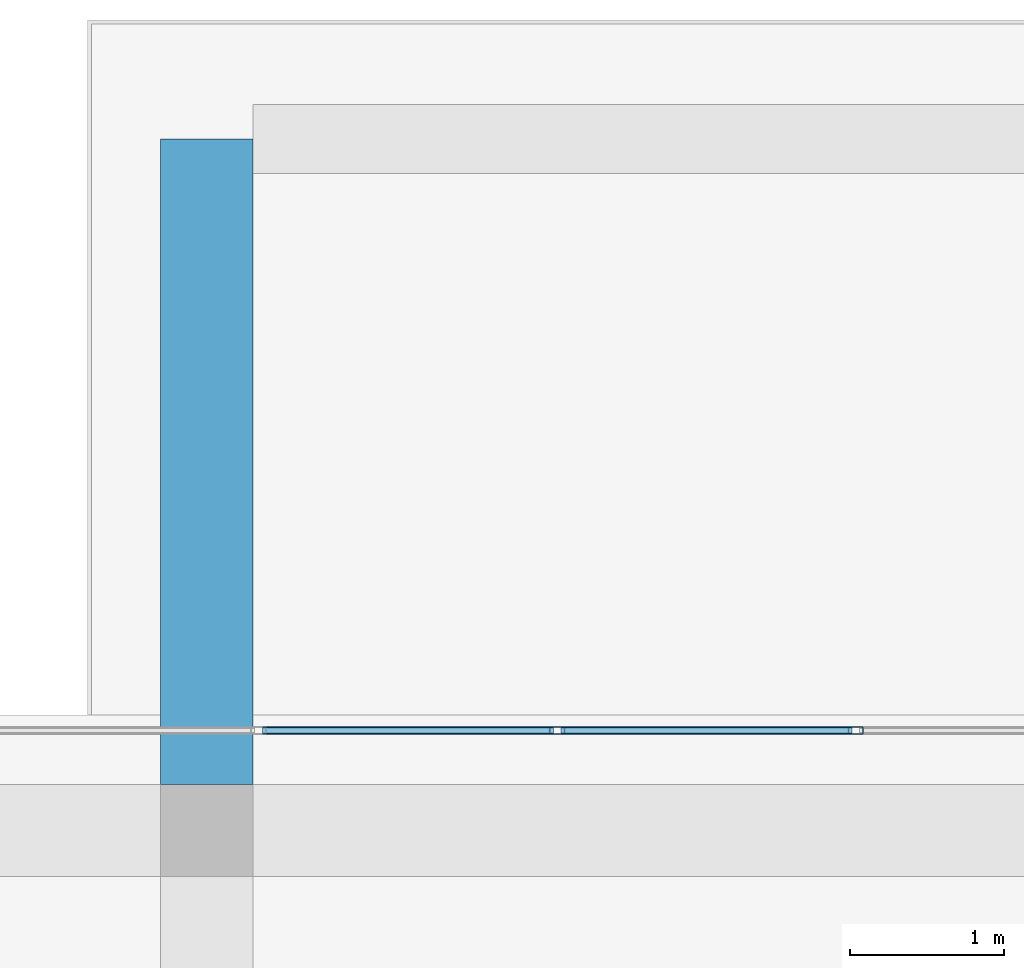
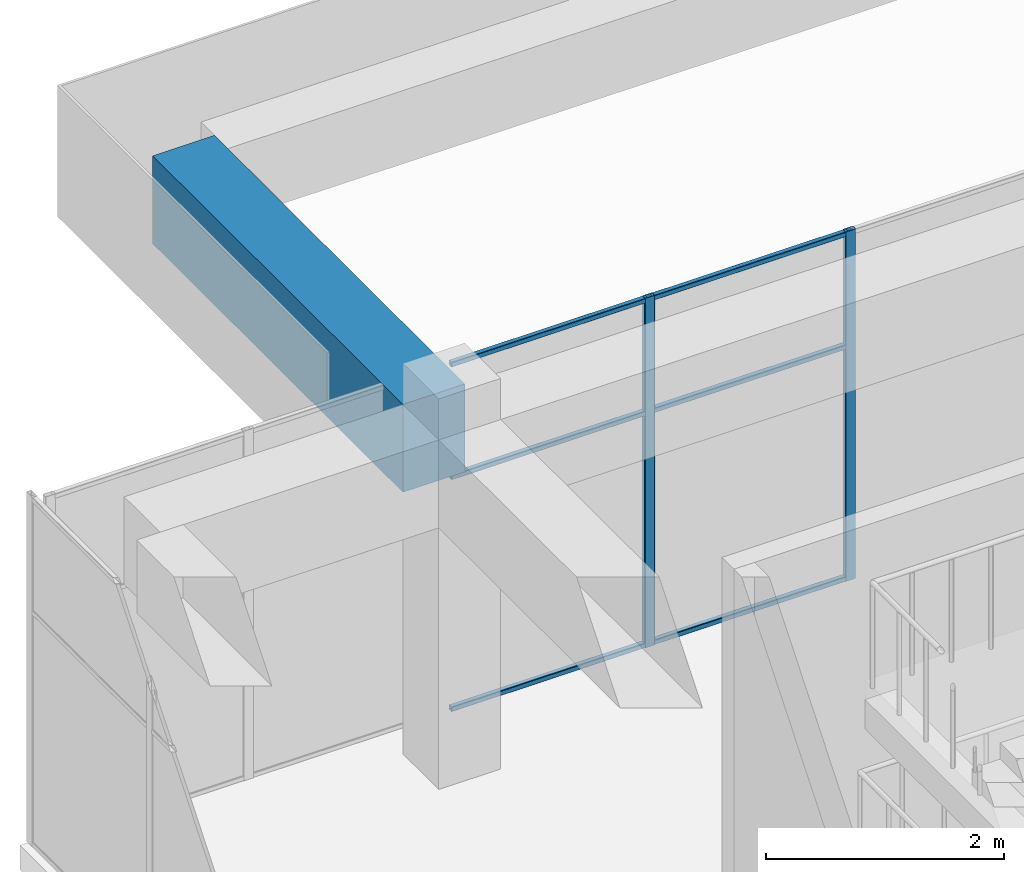
# One storey, part 22 of 35: 8 members, 1 beam, 1 element without a shape of its own.
"""IFC4 building model written with IfcOpenShell, lengths in metres."""

from ifc_helpers import new_model, si_unit, direction, frame, origin, origin_2d, place, context, subcontext, project, spatial, rectangle, hollow_rectangle, extrude, material, layer, layer_set, material_profile, profile_set, type_object, element, aggregate, save


model = new_model("IFC4")

# Units and contexts
model_context = context("Model", 3, precision=1e-05, world=origin(), true_north=direction((0.0, 1.0)))
body_context = subcontext(model_context, "Body", "Model", "MODEL_VIEW")
ifc_project = project(units=[si_unit("LENGTHUNIT", "METRE"), si_unit("AREAUNIT", "SQUARE_METRE"), si_unit("VOLUMEUNIT", "CUBIC_METRE"), si_unit("PLANEANGLEUNIT", "RADIAN"), si_unit("MASSUNIT", "GRAM", prefix="KILO")], contexts=[model_context])

# Site, building, storey
site_placement = place(None, origin())
site = spatial("IfcSite", under=ifc_project, at=site_placement, CompositionType="ELEMENT")
building_placement = place(site_placement, origin())
building = spatial("IfcBuilding", under=site, at=building_placement, Name="Tuart Plaza Theatre", CompositionType="ELEMENT")
storey_placement = place(building_placement, frame((0.0, 0.0, 49.5)))
storey = spatial("IfcBuildingStorey", under=building, at=storey_placement, Name="L12", CompositionType="ELEMENT", Elevation=49.5)

# Beam
ifc_material_1 = material(Name="Concrete N40 (40 MPa)", Category="concrete")
ifc_material_profile_1 = material_profile(ifc_material_1, rectangle(XDim=0.60009765625, YDim=0.89990234375, at=origin_2d()), Name="BEAM 600x900 Concrete N40 (40 MPa)")
ifc_profile_set_1 = profile_set([ifc_material_profile_1], Name="Concrete N40 (40 MPa)")
beam_type = type_object("IfcBeamType", Name="BEAM 600x900 Concrete N40 (40 MPa)", PredefinedType="BEAM", material=ifc_profile_set_1)
beam_placement = place(storey_placement, frame((114.0, 92.300048828125, 3.1298828125), z_axis=(0.0, 1.0, 0.0), x_axis=(-1.0, 0.0, 0.0)))
element("IfcBeam", 1, at=beam_placement, inside=storey, type_object=beam_type, Name="RB311", PredefinedType="BEAM", context=body_context, shape_type="SweptSolid", body=[
    extrude(rectangle(XDim=0.60009765625, YDim=0.89990234375, at=origin_2d()), origin(), (0.0, 0.0, 1.0), 4.199951171875),
])

# Curtain wall, members
ifc_material_2 = material(Name="Aluminium and glass", Category="aluminium")
ifc_layer = layer(ifc_material_2, 0.10009765625)
ifc_layer_set = layer_set([ifc_layer], Name="CURTAIN WALL 2000 module")
curtain_wall_type = type_object("IfcCurtainWallType", Name="CURTAIN WALL 2000 module", PredefinedType="NOTDEFINED", material=ifc_layer_set)
curtain_wall_placement = place(storey_placement, origin())
curtain_wall = element("IfcCurtainWall", 2, at=curtain_wall_placement, inside=storey, type_object=curtain_wall_type, Name="CW105", PredefinedType="NOTDEFINED")
ifc_material_3 = material(Name="Aluminium 6063-T5", Category="aluminium")
ifc_material_profile_2 = material_profile(ifc_material_3, hollow_rectangle(XDim=0.050048828125, YDim=0.10009765625, WallThickness=0.00390625, InnerFilletRadius=0.00390625, OuterFilletRadius=0.008056640625, at=origin_2d()), Name="RHS 100x50x4")
ifc_profile_set_2 = profile_set([ifc_material_profile_2], Name="Aluminium 6063-T5")
member_type_1 = type_object("IfcMemberType", Name="MULLION RHS 100x50x4", PredefinedType="MULLION", material=ifc_profile_set_2)
member_1_placement = place(storey_placement, frame((118.22509765625, 92.64990234375, 0.0), z_axis=(0.0, 0.0, 1.0), x_axis=(0.0, -1.0, 0.0)))
member_1 = element("IfcMember", 3, at=member_1_placement, type_object=member_type_1, Name="CW105 mullion 13", PredefinedType="MULLION", context=body_context, shape_type="SweptSolid", body=[
    extrude(hollow_rectangle(XDim=0.050048828125, YDim=0.10009765625, WallThickness=0.00390625, InnerFilletRadius=0.00390625, OuterFilletRadius=0.008056640625, at=origin_2d()), origin(), (0.0, 0.0, 1.0), 3.580078125),
])
member_2_placement = place(storey_placement, frame((116.28125, 92.64990234375, 0.0), z_axis=(0.0, 0.0, 1.0), x_axis=(0.0, -1.0, 0.0)))
member_2 = element("IfcMember", 4, at=member_2_placement, type_object=member_type_1, Name="CW105 mullion 14", PredefinedType="MULLION", context=body_context, shape_type="SweptSolid", body=[
    extrude(hollow_rectangle(XDim=0.050048828125, YDim=0.10009765625, WallThickness=0.00390625, InnerFilletRadius=0.00390625, OuterFilletRadius=0.008056640625, at=origin_2d()), origin(), (0.0, 0.0, 1.0), 3.580078125),
])
ifc_material_4 = material(Name="Aluminium 6063-T5", Category="aluminium")
ifc_material_profile_3 = material_profile(ifc_material_4, hollow_rectangle(XDim=0.050048828125, YDim=0.050048828125, WallThickness=0.00390625, InnerFilletRadius=0.00390625, OuterFilletRadius=0.008056640625, at=origin_2d()), Name="RHS 50x50x4")
ifc_profile_set_3 = profile_set([ifc_material_profile_3], Name="Aluminium 6063-T5")
member_type_2 = type_object("IfcMemberType", Name="TRANSOM RHS 50x50x4", PredefinedType="USERDEFINED", material=ifc_profile_set_3)
member_3_placement = place(storey_placement, frame((118.199951171875, 92.64990234375, 0.02490234375), z_axis=(-1.0, 0.0, 0.0), x_axis=(0.0, -1.0, 0.0)))
member_3 = element("IfcMember", 5, at=member_3_placement, type_object=member_type_2, Name="CW105 transom 13.1", ObjectType="TRANSOM", PredefinedType="USERDEFINED", context=body_context, shape_type="SweptSolid", body=[
    extrude(hollow_rectangle(XDim=0.050048828125, YDim=0.050048828125, WallThickness=0.00390625, InnerFilletRadius=0.00390625, OuterFilletRadius=0.008056640625, at=origin_2d()), origin(), (0.0, 0.0, 1.0), 1.893798828125),
])
member_4_placement = place(storey_placement, frame((118.199951171875, 92.64990234375, 2.39990234375), z_axis=(-1.0, 0.0, 0.0), x_axis=(0.0, -1.0, 0.0)))
member_4 = element("IfcMember", 6, at=member_4_placement, type_object=member_type_2, Name="CW105 transom 13.2", ObjectType="TRANSOM", PredefinedType="USERDEFINED", context=body_context, shape_type="SweptSolid", body=[
    extrude(hollow_rectangle(XDim=0.050048828125, YDim=0.050048828125, WallThickness=0.00390625, InnerFilletRadius=0.00390625, OuterFilletRadius=0.008056640625, at=origin_2d()), origin(), (0.0, 0.0, 1.0), 1.893798828125),
])
member_5_placement = place(storey_placement, frame((118.199951171875, 92.64990234375, 3.554931640625), z_axis=(-1.0, 0.0, 0.0), x_axis=(0.0, -1.0, 0.0)))
member_5 = element("IfcMember", 7, at=member_5_placement, type_object=member_type_2, Name="CW105 transom 13.3", ObjectType="TRANSOM", PredefinedType="USERDEFINED", context=body_context, shape_type="SweptSolid", body=[
    extrude(hollow_rectangle(XDim=0.050048828125, YDim=0.050048828125, WallThickness=0.00390625, InnerFilletRadius=0.00390625, OuterFilletRadius=0.008056640625, at=origin_2d()), origin(), (0.0, 0.0, 1.0), 1.893798828125),
])
member_6_placement = place(storey_placement, frame((116.25634765625, 92.64990234375, 0.02490234375), z_axis=(-1.0, 0.0, 0.0), x_axis=(0.0, -1.0, 0.0)))
member_6 = element("IfcMember", 8, at=member_6_placement, type_object=member_type_2, Name="CW105 transom 14.1", ObjectType="TRANSOM", PredefinedType="USERDEFINED", context=body_context, shape_type="SweptSolid", body=[
    extrude(hollow_rectangle(XDim=0.050048828125, YDim=0.050048828125, WallThickness=0.00390625, InnerFilletRadius=0.00390625, OuterFilletRadius=0.008056640625, at=origin_2d()), origin(), (0.0, 0.0, 1.0), 1.893798828125),
])
member_7_placement = place(storey_placement, frame((116.25634765625, 92.64990234375, 2.39990234375), z_axis=(-1.0, 0.0, 0.0), x_axis=(0.0, -1.0, 0.0)))
member_7 = element("IfcMember", 9, at=member_7_placement, type_object=member_type_2, Name="CW105 transom 14.2", ObjectType="TRANSOM", PredefinedType="USERDEFINED", context=body_context, shape_type="SweptSolid", body=[
    extrude(hollow_rectangle(XDim=0.050048828125, YDim=0.050048828125, WallThickness=0.00390625, InnerFilletRadius=0.00390625, OuterFilletRadius=0.008056640625, at=origin_2d()), origin(), (0.0, 0.0, 1.0), 1.893798828125),
])
member_8_placement = place(storey_placement, frame((116.25634765625, 92.64990234375, 3.554931640625), z_axis=(-1.0, 0.0, 0.0), x_axis=(0.0, -1.0, 0.0)))
member_8 = element("IfcMember", 10, at=member_8_placement, type_object=member_type_2, Name="CW105 transom 14.3", ObjectType="TRANSOM", PredefinedType="USERDEFINED", context=body_context, shape_type="SweptSolid", body=[
    extrude(hollow_rectangle(XDim=0.050048828125, YDim=0.050048828125, WallThickness=0.00390625, InnerFilletRadius=0.00390625, OuterFilletRadius=0.008056640625, at=origin_2d()), origin(), (0.0, 0.0, 1.0), 1.893798828125),
])
aggregate(curtain_wall, [member_1, member_2, member_3, member_4, member_5, member_6, member_7, member_8])

save(model, "model.ifc")
